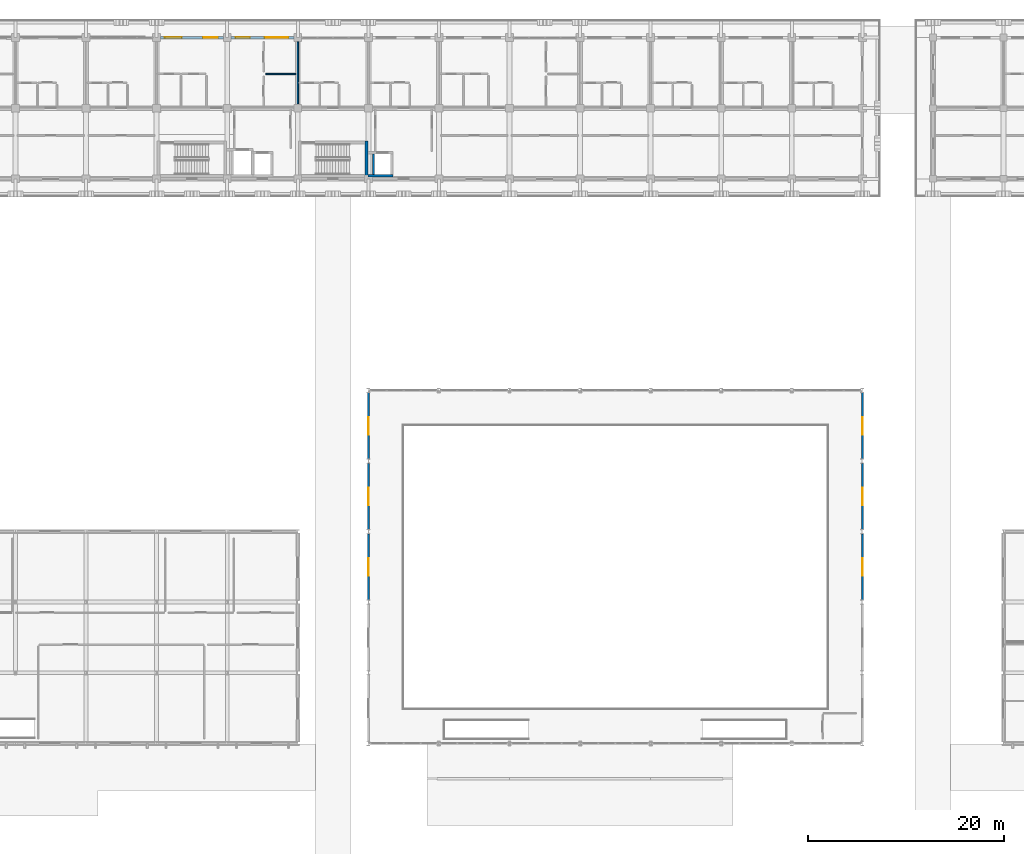
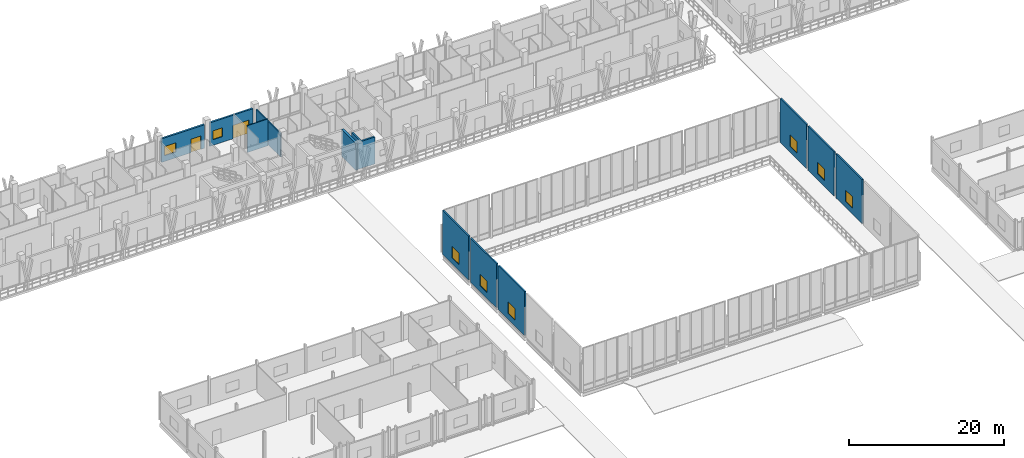
# One storey, part 76 of 110: 13 walls, 8 windows, 2 doors, 10 openings.
"""IFC4 building model written with IfcOpenShell, lengths in metres."""

from ifc_helpers import new_model, si_unit, direction, frame, frame_2d, origin, place, context, subcontext, project, spatial, rectangle, extrude, material, layer, layer_set, type_object, element, fill, save


model = new_model("IFC4")

# Units and contexts
model_context = context("Model", 3, precision=1e-05, world=origin(), true_north=direction((0.0, 1.0)))
body_context = subcontext(model_context, "Body", "Model", "MODEL_VIEW")
ifc_project = project(units=[si_unit("LENGTHUNIT", "METRE"), si_unit("AREAUNIT", "SQUARE_METRE"), si_unit("VOLUMEUNIT", "CUBIC_METRE"), si_unit("PLANEANGLEUNIT", "RADIAN"), si_unit("MASSUNIT", "GRAM", prefix="KILO")], contexts=[model_context])

# Site, building, storey
site_placement = place(None, origin())
site = spatial("IfcSite", under=ifc_project, at=site_placement, CompositionType="ELEMENT")
building_placement = place(site_placement, origin())
building = spatial("IfcBuilding", under=site, at=building_placement, Name="Suanplinth Sawtooth Commons", CompositionType="ELEMENT")
storey_placement = place(building_placement, frame((0.0, 0.0, 4.5)))
storey = spatial("IfcBuildingStorey", under=building, at=storey_placement, Name="L01", CompositionType="ELEMENT", Elevation=4.5)

# Wall
ifc_material_1 = material(Name="Concrete C40/50", Category="concrete")
ifc_layer_1 = layer(ifc_material_1, 0.300048828125, Name="Standard RC stair and lift core wall 300mm")
ifc_layer_set_1 = layer_set([ifc_layer_1], Name="Concrete C40/50")
wall_type_1 = type_object("IfcWallType", Name="W-CR02", PredefinedType="SHEAR", material=ifc_layer_set_1)
wall_1_placement = place(storey_placement, frame((64.60009765625, 108.14990234375, 0.0), z_axis=(0.0, 0.0, 1.0), x_axis=(0.0, 1.0, 0.0)))
element("IfcWall", 1, at=wall_1_placement, inside=storey, type_object=wall_type_1, Name="W-L01-C-A2-STE", PredefinedType="SHEAR", context=body_context, shape_type="SweptSolid", body=[
    extrude(rectangle(XDim=3.7001953125, YDim=0.300048828125, at=frame_2d((1.85009765625, 0.0))), origin(), (0.0, 0.0, 1.0), 4.25),
])

# Wall, openings, door, window
ifc_material_2 = material(Name="Precast concrete C40/50", Category="concrete")
ifc_layer_2 = layer(ifc_material_2, 0.280029296875, Name="Insulated precast architectural facade wall 280mm")
ifc_layer_set_2 = layer_set([ifc_layer_2], Name="Precast concrete C40/50")
wall_type_2 = type_object("IfcWallType", Name="W-EX01", PredefinedType="ELEMENTEDWALL", material=ifc_layer_set_2)
wall_2_placement = place(storey_placement, frame((43.60009765625, 122.39990234375, 0.0), z_axis=(0.0, 0.0, 1.0), x_axis=(1.0, 0.0, 0.0)))
wall_2 = element("IfcWall", 2, at=wall_2_placement, inside=storey, type_object=wall_type_2, Name="Facade Wall W-L01-A-N-6", PredefinedType="ELEMENTEDWALL", context=body_context, shape_type="SweptSolid", body=[
    extrude(rectangle(XDim=6.39990234375, YDim=0.280029296875, at=frame_2d((3.199951171875, 0.0))), origin(), (0.0, 0.0, 1.0), 3.715087890625),
])
opening_1_placement = place(wall_2_placement, frame((4.35009765625, 0.0, 0.0)))
opening_1 = element("IfcOpeningElement", 3, at=opening_1_placement, cuts=wall_2, Name="Opening ED0049", PredefinedType="OPENING", context=body_context, shape_type="SweptSolid", body=[
    extrude(rectangle(XDim=1.5, YDim=2.1201171875, at=frame_2d((0.75, 1.06005859375))), frame((0.0, 0.15478515625, 0.0), z_axis=(0.0, -1.0, 0.0), x_axis=(1.0, 0.0, 0.0)), (0.0, 0.0, 1.0), 0.309814453125),
])
opening_2_placement = place(wall_2_placement, frame((0.449951171875, 0.0, 0.89990234375)))
opening_2 = element("IfcOpeningElement", 4, at=opening_2_placement, cuts=wall_2, Name="Opening W0172", PredefinedType="OPENING", context=body_context, shape_type="SweptSolid", body=[
    extrude(rectangle(XDim=1.699951171875, YDim=1.449951171875, at=frame_2d((0.85009765625, 0.72509765625))), frame((0.0, 0.15478515625, 0.0), z_axis=(0.0, -1.0, 0.0), x_axis=(1.0, 0.0, 0.0)), (0.0, 0.0, 1.0), 0.309814453125),
])
ifc_material_3 = material(Name="Anodized aluminium and low-E glass", Category="aluminium")
door_type_1 = type_object("IfcDoorType", Name="SD-03", OperationType="SLIDING_TO_LEFT", PredefinedType="DOOR", material=ifc_material_3)
door_1_placement = place(opening_1_placement, frame((1.5, 0.0, 0.0), z_axis=(0.0, 0.0, 1.0), x_axis=(-1.0, 0.0, 0.0)))
door_1 = element("IfcDoor", 5, at=door_1_placement, inside=storey, type_object=door_type_1, Name="Balcony Sliding Door L01-A-N-6", OperationType="SLIDING_TO_LEFT", OverallHeight=2.1201171875, OverallWidth=1.5, PredefinedType="DOOR", context=body_context, shape_type="SweptSolid", body=[
    extrude(rectangle(XDim=1.5, YDim=2.1201171875, at=frame_2d((0.75, 1.06005859375))), frame((0.0, 0.02490234375, 0.0), z_axis=(0.0, -1.0, 0.0), x_axis=(1.0, 0.0, 0.0)), (0.0, 0.0, 1.0), 0.050048828125),
])
fill(opening_1, door_1)
ifc_material_4 = material(Name="Thermally broken aluminium and low-E double glazing", Category="aluminium")
window_type_1 = type_object("IfcWindowType", Name="WN-15", PartitioningType="DOUBLE_PANEL_VERTICAL", PredefinedType="WINDOW", material=ifc_material_4)
window_1_placement = place(opening_2_placement, origin())
window_1 = element("IfcWindow", 6, at=window_1_placement, inside=storey, type_object=window_type_1, Name="Window L01-A-N-6", OverallHeight=1.449951171875, OverallWidth=1.699951171875, PartitioningType="DOUBLE_PANEL_VERTICAL", PredefinedType="WINDOW", context=body_context, shape_type="SweptSolid", body=[
    extrude(rectangle(XDim=1.699951171875, YDim=1.449951171875, at=frame_2d((0.85009765625, 0.72509765625))), frame((0.0, 0.030029296875, 0.0), z_axis=(0.0, -1.0, 0.0), x_axis=(1.0, 0.0, 0.0)), (0.0, 0.0, 1.0), 0.06005859375),
])
fill(opening_2, window_1)

wall_3_placement = place(storey_placement, frame((50.800048828125, 122.39990234375, 0.0), z_axis=(0.0, 0.0, 1.0), x_axis=(1.0, 0.0, 0.0)))
wall_3 = element("IfcWall", 7, at=wall_3_placement, inside=storey, type_object=wall_type_2, Name="Facade Wall W-L01-A-N-7", PredefinedType="ELEMENTEDWALL", context=body_context, shape_type="SweptSolid", body=[
    extrude(rectangle(XDim=6.39990234375, YDim=0.280029296875, at=frame_2d((3.199951171875, 0.0))), origin(), (0.0, 0.0, 1.0), 3.715087890625),
])
opening_3_placement = place(wall_3_placement, frame((3.449951171875, 0.0, 0.0)))
opening_3 = element("IfcOpeningElement", 8, at=opening_3_placement, cuts=wall_3, Name="Opening ED0050", PredefinedType="OPENING", context=body_context, shape_type="SweptSolid", body=[
    extrude(rectangle(XDim=2.39990234375, YDim=2.1201171875, at=frame_2d((1.199951171875, 1.06005859375))), frame((0.0, 0.15478515625, 0.0), z_axis=(0.0, -1.0, 0.0), x_axis=(1.0, 0.0, 0.0)), (0.0, 0.0, 1.0), 0.309814453125),
])
opening_4_placement = place(wall_3_placement, frame((0.449951171875, 0.0, 0.89990234375)))
opening_4 = element("IfcOpeningElement", 9, at=opening_4_placement, cuts=wall_3, Name="Opening W0174", PredefinedType="OPENING", context=body_context, shape_type="SweptSolid", body=[
    extrude(rectangle(XDim=1.449951171875, YDim=1.39990234375, at=frame_2d((0.72509765625, 0.699951171875))), frame((0.0, 0.15478515625, 0.0), z_axis=(0.0, -1.0, 0.0), x_axis=(1.0, 0.0, 0.0)), (0.0, 0.0, 1.0), 0.309814453125),
])
door_type_2 = type_object("IfcDoorType", Name="SD-04", OperationType="DOUBLE_DOOR_SLIDING", PredefinedType="DOOR", material=ifc_material_3)
door_2_placement = place(opening_3_placement, frame((2.39990234375, 0.0, 0.0), z_axis=(0.0, 0.0, 1.0), x_axis=(-1.0, 0.0, 0.0)))
door_2 = element("IfcDoor", 10, at=door_2_placement, inside=storey, type_object=door_type_2, Name="Balcony Sliding Door L01-A-N-7", OperationType="DOUBLE_DOOR_SLIDING", OverallHeight=2.1201171875, OverallWidth=2.39990234375, PredefinedType="DOOR", context=body_context, shape_type="SweptSolid", body=[
    extrude(rectangle(XDim=2.39990234375, YDim=2.1201171875, at=frame_2d((1.199951171875, 1.06005859375))), frame((0.0, 0.02490234375, 0.0), z_axis=(0.0, -1.0, 0.0), x_axis=(1.0, 0.0, 0.0)), (0.0, 0.0, 1.0), 0.050048828125),
])
fill(opening_3, door_2)
window_type_2 = type_object("IfcWindowType", Name="WN-16", PartitioningType="DOUBLE_PANEL_VERTICAL", PredefinedType="WINDOW", material=ifc_material_4)
window_2_placement = place(opening_4_placement, origin())
window_2 = element("IfcWindow", 11, at=window_2_placement, inside=storey, type_object=window_type_2, Name="Window L01-A-N-7", OverallHeight=1.39990234375, OverallWidth=1.449951171875, PartitioningType="DOUBLE_PANEL_VERTICAL", PredefinedType="WINDOW", context=body_context, shape_type="SweptSolid", body=[
    extrude(rectangle(XDim=1.449951171875, YDim=1.39990234375, at=frame_2d((0.72509765625, 0.699951171875))), frame((0.0, 0.030029296875, 0.0), z_axis=(0.0, -1.0, 0.0), x_axis=(1.0, 0.0, 0.0)), (0.0, 0.0, 1.0), 0.06005859375),
])
fill(opening_4, window_2)

# Wall, opening, window
ifc_layer_3 = layer(ifc_material_2, 0.219970703125, Name="Civic pavilion insulated facade wall 220mm")
ifc_layer_set_3 = layer_set([ifc_layer_3], Name="Precast concrete C40/50")
wall_type_3 = type_object("IfcWallType", Name="W-EX05", PredefinedType="ELEMENTEDWALL", material=ifc_layer_set_3)
wall_4_placement = place(storey_placement, frame((64.800048828125, 65.02490234375, 0.0), z_axis=(0.0, 0.0, 1.0), x_axis=(0.0, 1.0, 0.0)))
wall_4 = element("IfcWall", 12, at=wall_4_placement, inside=storey, type_object=wall_type_3, Name="Hall W Wall L01-9", PredefinedType="ELEMENTEDWALL", context=body_context, shape_type="SweptSolid", body=[
    extrude(rectangle(XDim=6.75, YDim=0.219970703125, at=frame_2d((3.375, 0.0))), origin(), (0.0, 0.0, 1.0), 6.949951171875),
])
opening_5_placement = place(wall_4_placement, frame((2.449951171875, 0.0, 0.949951171875)))
opening_5 = element("IfcOpeningElement", 13, at=opening_5_placement, cuts=wall_4, Name="Opening W0015", PredefinedType="OPENING", context=body_context, shape_type="SweptSolid", body=[
    extrude(rectangle(XDim=1.800048828125, YDim=1.800048828125, at=frame_2d((0.89990234375, 0.89990234375))), frame((0.0, 0.125, 0.0), z_axis=(0.0, -1.0, 0.0), x_axis=(1.0, 0.0, 0.0)), (0.0, 0.0, 1.0), 0.249755859375),
])
window_type_3 = type_object("IfcWindowType", Name="WN-07", PartitioningType="DOUBLE_PANEL_VERTICAL", PredefinedType="WINDOW", material=ifc_material_4)
window_3_placement = place(opening_5_placement, origin())
window_3 = element("IfcWindow", 14, at=window_3_placement, inside=storey, type_object=window_type_3, Name="Hall W Window L01-9", OverallHeight=1.800048828125, OverallWidth=1.800048828125, PartitioningType="DOUBLE_PANEL_VERTICAL", PredefinedType="WINDOW", context=body_context, shape_type="SweptSolid", body=[
    extrude(rectangle(XDim=1.800048828125, YDim=1.800048828125, at=frame_2d((0.89990234375, 0.89990234375))), frame((0.0, 0.030029296875, 0.0), z_axis=(0.0, -1.0, 0.0), x_axis=(1.0, 0.0, 0.0)), (0.0, 0.0, 1.0), 0.06005859375),
])
fill(opening_5, window_3)

wall_5_placement = place(storey_placement, frame((115.199951171875, 65.02490234375, 0.0), z_axis=(0.0, 0.0, 1.0), x_axis=(0.0, 1.0, 0.0)))
wall_5 = element("IfcWall", 15, at=wall_5_placement, inside=storey, type_object=wall_type_3, Name="Hall E Wall L01-9", PredefinedType="ELEMENTEDWALL", context=body_context, shape_type="SweptSolid", body=[
    extrude(rectangle(XDim=6.75, YDim=0.219970703125, at=frame_2d((3.375, 0.0))), origin(), (0.0, 0.0, 1.0), 6.949951171875),
])
opening_6_placement = place(wall_5_placement, frame((2.449951171875, 0.0, 0.949951171875)))
opening_6 = element("IfcOpeningElement", 16, at=opening_6_placement, cuts=wall_5, Name="Opening W0017", PredefinedType="OPENING", context=body_context, shape_type="SweptSolid", body=[
    extrude(rectangle(XDim=1.800048828125, YDim=1.800048828125, at=frame_2d((0.89990234375, 0.89990234375))), frame((0.0, 0.125, 0.0), z_axis=(0.0, -1.0, 0.0), x_axis=(1.0, 0.0, 0.0)), (0.0, 0.0, 1.0), 0.249755859375),
])
window_4_placement = place(opening_6_placement, origin())
window_4 = element("IfcWindow", 17, at=window_4_placement, inside=storey, type_object=window_type_3, Name="Hall E Window L01-9", OverallHeight=1.800048828125, OverallWidth=1.800048828125, PartitioningType="DOUBLE_PANEL_VERTICAL", PredefinedType="WINDOW", context=body_context, shape_type="SweptSolid", body=[
    extrude(rectangle(XDim=1.800048828125, YDim=1.800048828125, at=frame_2d((0.89990234375, 0.89990234375))), frame((0.0, 0.030029296875, 0.0), z_axis=(0.0, -1.0, 0.0), x_axis=(1.0, 0.0, 0.0)), (0.0, 0.0, 1.0), 0.06005859375),
])
fill(opening_6, window_4)

wall_6_placement = place(storey_placement, frame((64.800048828125, 72.22509765625, 0.0), z_axis=(0.0, 0.0, 1.0), x_axis=(0.0, 1.0, 0.0)))
wall_6 = element("IfcWall", 18, at=wall_6_placement, inside=storey, type_object=wall_type_3, Name="Hall W Wall L01-10", PredefinedType="ELEMENTEDWALL", context=body_context, shape_type="SweptSolid", body=[
    extrude(rectangle(XDim=6.75, YDim=0.219970703125, at=frame_2d((3.375, 0.0))), origin(), (0.0, 0.0, 1.0), 6.949951171875),
])
opening_7_placement = place(wall_6_placement, frame((2.449951171875, 0.0, 0.949951171875)))
opening_7 = element("IfcOpeningElement", 19, at=opening_7_placement, cuts=wall_6, Name="Opening W0019", PredefinedType="OPENING", context=body_context, shape_type="SweptSolid", body=[
    extrude(rectangle(XDim=1.800048828125, YDim=1.800048828125, at=frame_2d((0.89990234375, 0.89990234375))), frame((0.0, 0.125, 0.0), z_axis=(0.0, -1.0, 0.0), x_axis=(1.0, 0.0, 0.0)), (0.0, 0.0, 1.0), 0.249755859375),
])
window_5_placement = place(opening_7_placement, origin())
window_5 = element("IfcWindow", 20, at=window_5_placement, inside=storey, type_object=window_type_3, Name="Hall W Window L01-10", OverallHeight=1.800048828125, OverallWidth=1.800048828125, PartitioningType="DOUBLE_PANEL_VERTICAL", PredefinedType="WINDOW", context=body_context, shape_type="SweptSolid", body=[
    extrude(rectangle(XDim=1.800048828125, YDim=1.800048828125, at=frame_2d((0.89990234375, 0.89990234375))), frame((0.0, 0.030029296875, 0.0), z_axis=(0.0, -1.0, 0.0), x_axis=(1.0, 0.0, 0.0)), (0.0, 0.0, 1.0), 0.06005859375),
])
fill(opening_7, window_5)

wall_7_placement = place(storey_placement, frame((115.199951171875, 72.22509765625, 0.0), z_axis=(0.0, 0.0, 1.0), x_axis=(0.0, 1.0, 0.0)))
wall_7 = element("IfcWall", 21, at=wall_7_placement, inside=storey, type_object=wall_type_3, Name="Hall E Wall L01-10", PredefinedType="ELEMENTEDWALL", context=body_context, shape_type="SweptSolid", body=[
    extrude(rectangle(XDim=6.75, YDim=0.219970703125, at=frame_2d((3.375, 0.0))), origin(), (0.0, 0.0, 1.0), 6.949951171875),
])
opening_8_placement = place(wall_7_placement, frame((2.449951171875, 0.0, 0.949951171875)))
opening_8 = element("IfcOpeningElement", 22, at=opening_8_placement, cuts=wall_7, Name="Opening W0021", PredefinedType="OPENING", context=body_context, shape_type="SweptSolid", body=[
    extrude(rectangle(XDim=1.800048828125, YDim=1.800048828125, at=frame_2d((0.89990234375, 0.89990234375))), frame((0.0, 0.125, 0.0), z_axis=(0.0, -1.0, 0.0), x_axis=(1.0, 0.0, 0.0)), (0.0, 0.0, 1.0), 0.249755859375),
])
window_6_placement = place(opening_8_placement, origin())
window_6 = element("IfcWindow", 23, at=window_6_placement, inside=storey, type_object=window_type_3, Name="Hall E Window L01-10", OverallHeight=1.800048828125, OverallWidth=1.800048828125, PartitioningType="DOUBLE_PANEL_VERTICAL", PredefinedType="WINDOW", context=body_context, shape_type="SweptSolid", body=[
    extrude(rectangle(XDim=1.800048828125, YDim=1.800048828125, at=frame_2d((0.89990234375, 0.89990234375))), frame((0.0, 0.030029296875, 0.0), z_axis=(0.0, -1.0, 0.0), x_axis=(1.0, 0.0, 0.0)), (0.0, 0.0, 1.0), 0.06005859375),
])
fill(opening_8, window_6)

wall_8_placement = place(storey_placement, frame((64.800048828125, 79.425048828125, 0.0), z_axis=(0.0, 0.0, 1.0), x_axis=(0.0, 1.0, 0.0)))
wall_8 = element("IfcWall", 24, at=wall_8_placement, inside=storey, type_object=wall_type_3, Name="Hall W Wall L01-11", PredefinedType="ELEMENTEDWALL", context=body_context, shape_type="SweptSolid", body=[
    extrude(rectangle(XDim=6.75, YDim=0.219970703125, at=frame_2d((3.375, 0.0))), origin(), (0.0, 0.0, 1.0), 6.949951171875),
])
opening_9_placement = place(wall_8_placement, frame((2.449951171875, 0.0, 0.949951171875)))
opening_9 = element("IfcOpeningElement", 25, at=opening_9_placement, cuts=wall_8, Name="Opening W0023", PredefinedType="OPENING", context=body_context, shape_type="SweptSolid", body=[
    extrude(rectangle(XDim=1.800048828125, YDim=1.800048828125, at=frame_2d((0.89990234375, 0.89990234375))), frame((0.0, 0.125, 0.0), z_axis=(0.0, -1.0, 0.0), x_axis=(1.0, 0.0, 0.0)), (0.0, 0.0, 1.0), 0.249755859375),
])
window_7_placement = place(opening_9_placement, origin())
window_7 = element("IfcWindow", 26, at=window_7_placement, inside=storey, type_object=window_type_3, Name="Hall W Window L01-11", OverallHeight=1.800048828125, OverallWidth=1.800048828125, PartitioningType="DOUBLE_PANEL_VERTICAL", PredefinedType="WINDOW", context=body_context, shape_type="SweptSolid", body=[
    extrude(rectangle(XDim=1.800048828125, YDim=1.800048828125, at=frame_2d((0.89990234375, 0.89990234375))), frame((0.0, 0.030029296875, 0.0), z_axis=(0.0, -1.0, 0.0), x_axis=(1.0, 0.0, 0.0)), (0.0, 0.0, 1.0), 0.06005859375),
])
fill(opening_9, window_7)

wall_9_placement = place(storey_placement, frame((115.199951171875, 79.425048828125, 0.0), z_axis=(0.0, 0.0, 1.0), x_axis=(0.0, 1.0, 0.0)))
wall_9 = element("IfcWall", 27, at=wall_9_placement, inside=storey, type_object=wall_type_3, Name="Hall E Wall L01-11", PredefinedType="ELEMENTEDWALL", context=body_context, shape_type="SweptSolid", body=[
    extrude(rectangle(XDim=6.75, YDim=0.219970703125, at=frame_2d((3.375, 0.0))), origin(), (0.0, 0.0, 1.0), 6.949951171875),
])
opening_10_placement = place(wall_9_placement, frame((2.449951171875, 0.0, 0.949951171875)))
opening_10 = element("IfcOpeningElement", 28, at=opening_10_placement, cuts=wall_9, Name="Opening W0025", PredefinedType="OPENING", context=body_context, shape_type="SweptSolid", body=[
    extrude(rectangle(XDim=1.800048828125, YDim=1.800048828125, at=frame_2d((0.89990234375, 0.89990234375))), frame((0.0, 0.125, 0.0), z_axis=(0.0, -1.0, 0.0), x_axis=(1.0, 0.0, 0.0)), (0.0, 0.0, 1.0), 0.249755859375),
])
window_8_placement = place(opening_10_placement, origin())
window_8 = element("IfcWindow", 29, at=window_8_placement, inside=storey, type_object=window_type_3, Name="Hall E Window L01-11", OverallHeight=1.800048828125, OverallWidth=1.800048828125, PartitioningType="DOUBLE_PANEL_VERTICAL", PredefinedType="WINDOW", context=body_context, shape_type="SweptSolid", body=[
    extrude(rectangle(XDim=1.800048828125, YDim=1.800048828125, at=frame_2d((0.89990234375, 0.89990234375))), frame((0.0, 0.030029296875, 0.0), z_axis=(0.0, -1.0, 0.0), x_axis=(1.0, 0.0, 0.0)), (0.0, 0.0, 1.0), 0.06005859375),
])
fill(opening_10, window_8)

# Walls
ifc_layer_4 = layer(ifc_material_2, 0.14990234375, Name="Acoustic precast party demising wall 150mm")
ifc_layer_set_4 = layer_set([ifc_layer_4], Name="Precast concrete C40/50")
wall_type_4 = type_object("IfcWallType", Name="W-FW02", PredefinedType="PARTITIONING", material=ifc_layer_set_4)
wall_10_placement = place(storey_placement, frame((57.60009765625, 115.6298828125, 0.0), z_axis=(0.0, 0.0, 1.0), x_axis=(0.0, 1.0, 0.0)))
element("IfcWall", 30, at=wall_10_placement, inside=storey, type_object=wall_type_4, Name="W-A-L01-U06-PTY", PredefinedType="PARTITIONING", context=body_context, shape_type="SweptSolid", body=[
    extrude(rectangle(XDim=6.340087890625, YDim=0.14990234375, at=frame_2d((3.169921875, 0.0))), origin(), (0.0, 0.0, 1.0), 3.68505859375),
])
ifc_material_5 = material(Name="Gypsum plasterboard on steel stud", Category="steel")
ifc_layer_5 = layer(ifc_material_5, 0.125, Name="Acoustic study partition 125mm")
ifc_layer_set_5 = layer_set([ifc_layer_5], Name="Gypsum plasterboard on steel stud")
wall_type_5 = type_object("IfcWallType", Name="W-PT06", PredefinedType="PARTITIONING", material=ifc_layer_set_5)
wall_11_placement = place(storey_placement, frame((54.320068359375, 118.699951171875, 0.0), z_axis=(0.0, 0.0, 1.0), x_axis=(1.0, 0.0, 0.0)))
element("IfcWall", 31, at=wall_11_placement, inside=storey, type_object=wall_type_5, Name="W-A-L01-U06-BEDDIV", PredefinedType="PARTITIONING", context=body_context, shape_type="SweptSolid", body=[
    extrude(rectangle(XDim=3.059814453125, YDim=0.125, at=frame_2d((1.52978515625, 0.0))), origin(), (0.0, 0.0, 1.0), 4.25),
])
ifc_layer_6 = layer(ifc_material_2, 0.25, Name="Precast structural shear wall 250mm")
ifc_layer_set_6 = layer_set([ifc_layer_6], Name="Precast concrete C40/50")
wall_type_6 = type_object("IfcWallType", Name="W-SH01", PredefinedType="SHEAR", material=ifc_layer_set_6)
wall_12_placement = place(storey_placement, frame((64.75, 108.324951171875, 0.0), z_axis=(0.0, 0.0, 1.0), x_axis=(1.0, 0.0, 0.0)))
element("IfcWall", 32, at=wall_12_placement, inside=storey, type_object=wall_type_6, Name="W-L01-LF2-S", PredefinedType="SHEAR", context=body_context, shape_type="SweptSolid", body=[
    extrude(rectangle(XDim=2.550048828125, YDim=0.25, at=frame_2d((1.27490234375, 0.0))), origin(), (0.0, 0.0, 1.0), 4.25),
])
wall_13_placement = place(storey_placement, frame((65.324951171875, 108.449951171875, 0.0), z_axis=(0.0, 0.0, 1.0), x_axis=(0.0, 1.0, 0.0)))
element("IfcWall", 33, at=wall_13_placement, inside=storey, type_object=wall_type_6, Name="W-L01-LF2-W", PredefinedType="SHEAR", context=body_context, shape_type="SweptSolid", body=[
    extrude(rectangle(XDim=2.10009765625, YDim=0.25, at=frame_2d((1.050048828125, 0.0))), origin(), (0.0, 0.0, 1.0), 4.25),
])

save(model, "model.ifc")
